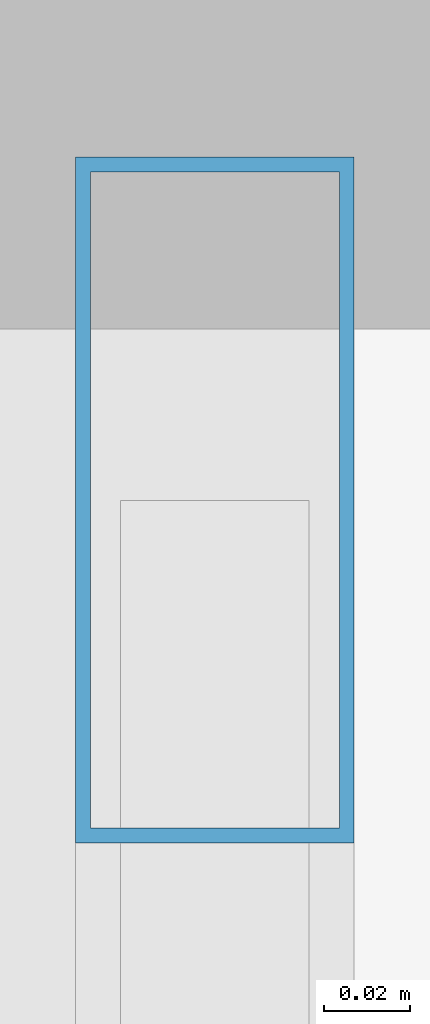
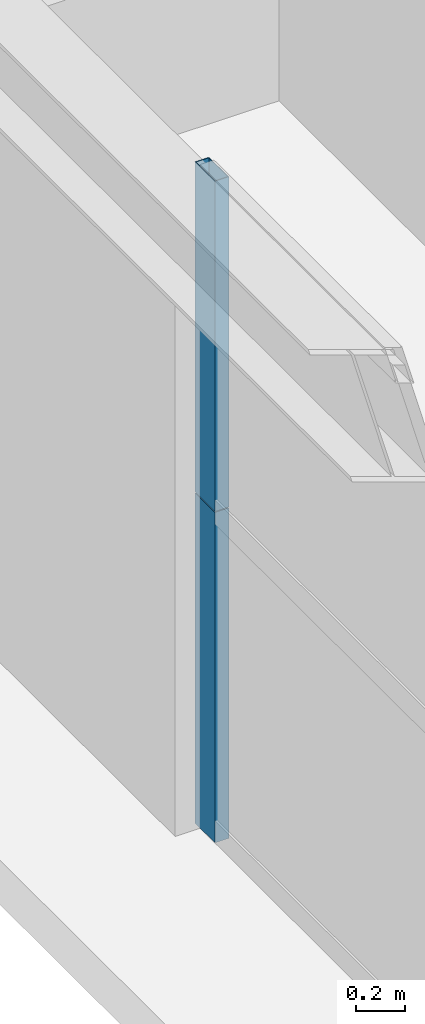
# One storey, part 30 of 45: 2 members, 1 element without a shape of its own.
"""IFC4 building model written with IfcOpenShell, lengths in metres."""

from ifc_helpers import new_model, si_unit, direction, frame, origin, origin_2d, place, context, subcontext, project, spatial, hollow_rectangle, extrude, source, transform, mapped, material, layer, layer_set, material_profile, profile_set, type_object, element, aggregate, save


model = new_model("IFC4")

# Units and contexts
model_context = context("Model", 3, precision=1e-05, world=origin(), true_north=direction((0.0, 1.0)))
body_context = subcontext(model_context, "Body", "Model", "MODEL_VIEW")
ifc_project = project(units=[si_unit("LENGTHUNIT", "METRE"), si_unit("AREAUNIT", "SQUARE_METRE"), si_unit("VOLUMEUNIT", "CUBIC_METRE"), si_unit("PLANEANGLEUNIT", "RADIAN"), si_unit("MASSUNIT", "GRAM", prefix="KILO"), si_unit("THERMODYNAMICTEMPERATUREUNIT", "KELVIN"), si_unit("POWERUNIT", "WATT")], contexts=[model_context])

# Site, building, storey
site_placement = place(None, origin())
site = spatial("IfcSite", under=ifc_project, at=site_placement, CompositionType="ELEMENT")
building_placement = place(site_placement, origin())
building = spatial("IfcBuilding", under=site, at=building_placement, Name="Yuzanri Waterfront Tower", CompositionType="ELEMENT")
storey_placement = place(building_placement, frame((0.0, 0.0, 198.5)))
storey = spatial("IfcBuildingStorey", under=building, at=storey_placement, Name="L52", CompositionType="ELEMENT", Elevation=198.5)

# Curtain wall, members
ifc_material_1 = material(Name="Anodized Architectural Bronze", Category="metal")
ifc_layer = layer(ifc_material_1, 0.159912109375)
ifc_layer_set = layer_set([ifc_layer], Name="Anodized Architectural Bronze")
curtain_wall_type = type_object("IfcCurtainWallType", Name="Anodized Bronze Mid-Rise Residential Acoustic Unitized Curtain Wall 7200", PredefinedType="NOTDEFINED", material=ifc_layer_set)
curtain_wall_placement = place(storey_placement, origin())
curtain_wall = element("IfcCurtainWall", 1, at=curtain_wall_placement, inside=storey, type_object=curtain_wall_type, Name="L52 Curtain Wall CW-L52-WR", PredefinedType="NOTDEFINED")
ifc_material_2 = material(Name="Anodized Architectural Bronze", Category="metal")
ifc_material_profile = material_profile(ifc_material_2, hollow_rectangle(XDim=0.06494140625, YDim=0.159912109375, WallThickness=0.00341796875, at=origin_2d()), Name="CWM 65x160")
ifc_profile_set = profile_set([ifc_material_profile], Name="Anodized Architectural Bronze")
member_type = type_object("IfcMemberType", Name="Anodized Bronze Upper-Zone Curtain-Wall Mullion 65x160", PredefinedType="MULLION", material=ifc_profile_set)
shared_shape = source(origin(), body_context, "Body", "SweptSolid", [
    extrude(hollow_rectangle(XDim=0.06494140625, YDim=0.159912109375, WallThickness=0.00341796875, at=origin_2d()), origin(), (0.0, 0.0, 1.0), 1.637939453125),
])
member_1_placement = place(storey_placement, frame((15.050048828125, 40.510009765625, 0.0), z_axis=(0.0, 0.0, 1.0), x_axis=(1.0, 0.0, 0.0)))
member_1 = element("IfcMember", 2, at=member_1_placement, type_object=member_type, Name="CW-L52-WR Lower Mullion 02", PredefinedType="MULLION", context=body_context, shape_type="MappedRepresentation", body=[
    mapped(shared_shape, transform((0.0, 0.0, 0.0), scale=1.0)),
])
member_2_placement = place(storey_placement, frame((15.050048828125, 40.510009765625, 1.64208984375), z_axis=(0.0, 0.0, 1.0), x_axis=(1.0, 0.0, 0.0)))
member_2 = element("IfcMember", 3, at=member_2_placement, type_object=member_type, Name="CW-L52-WR Upper Mullion 02", PredefinedType="MULLION", context=body_context, shape_type="MappedRepresentation", body=[
    mapped(shared_shape, transform((0.0, 0.0, 0.0), scale=1.0)),
])
aggregate(curtain_wall, [member_1, member_2])

save(model, "model.ifc")
